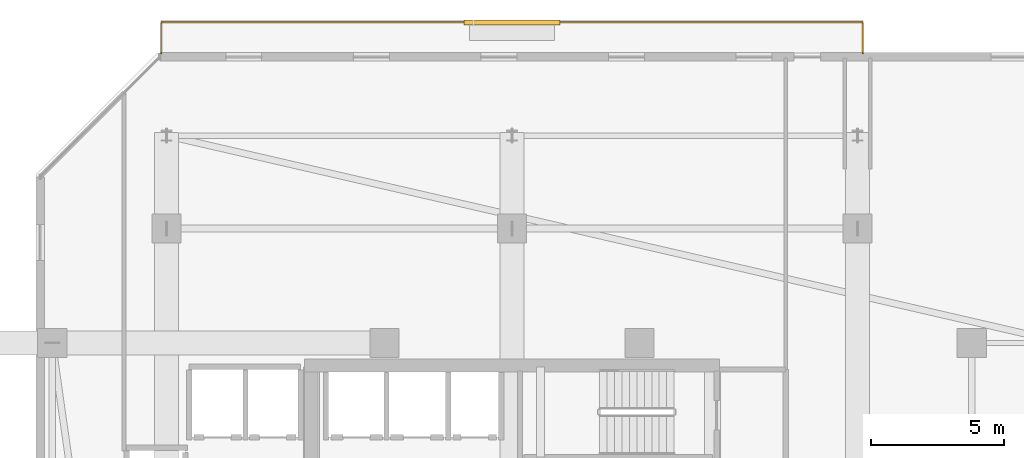
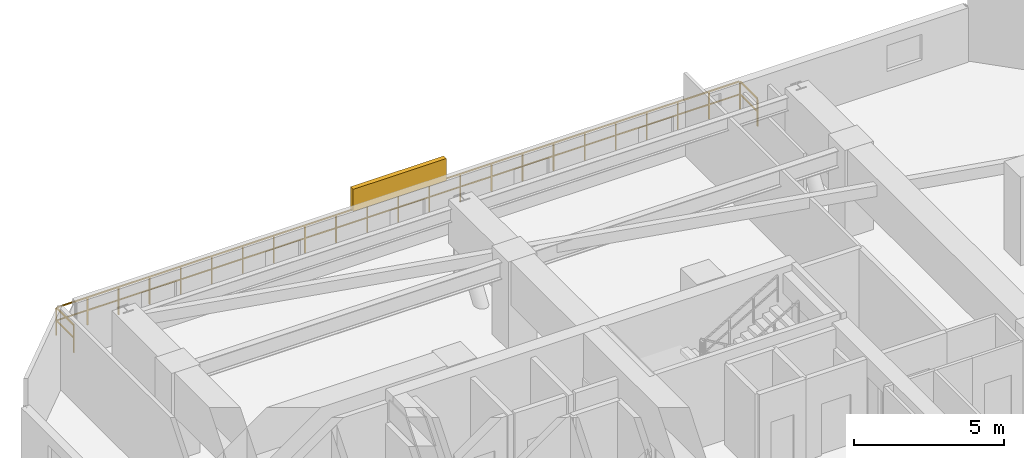
# One storey, part 34 of 36: 1 railing, 1 shading device.
"""IFC4 building model written with IfcOpenShell, lengths in metres."""

from ifc_helpers import new_model, si_unit, direction, frame, origin, origin_2d, place, context, subcontext, project, spatial, rectangle, extrude, material, type_object, element, save


model = new_model("IFC4")

# Units and contexts
model_context = context("Model", 3, precision=1e-05, world=origin(), true_north=direction((0.0, 1.0)))
body_context = subcontext(model_context, "Body", "Model", "MODEL_VIEW")
ifc_project = project(units=[si_unit("LENGTHUNIT", "METRE"), si_unit("AREAUNIT", "SQUARE_METRE"), si_unit("VOLUMEUNIT", "CUBIC_METRE"), si_unit("PLANEANGLEUNIT", "RADIAN"), si_unit("MASSUNIT", "GRAM", prefix="KILO")], contexts=[model_context])

# Site, building, storey
site_placement = place(None, origin())
site = spatial("IfcSite", under=ifc_project, at=site_placement, CompositionType="ELEMENT")
building_placement = place(site_placement, origin())
building = spatial("IfcBuilding", under=site, at=building_placement, Name="Thornwick Lancets Civic Towers", CompositionType="ELEMENT")
storey_placement = place(building_placement, frame((0.0, 0.0, 196.5)))
storey = spatial("IfcBuildingStorey", under=building, at=storey_placement, Name="L52", CompositionType="ELEMENT", Elevation=196.5)

# Railing
ifc_material_1 = material(Name="Terracotta-capped laminated glass balustrade S355", Category="masonry")
railing_type = type_object("IfcRailingType", Name="RAIL_TERR_GUARD", PredefinedType="GUARDRAIL", material=ifc_material_1)
railing_placement = place(storey_placement, frame((12.300048828125, 50.89990234375, 0.0)))
element("IfcRailing", 1, at=railing_placement, inside=storey, type_object=railing_type, Name="L52 Tower A Balcony Guard N", PredefinedType="GUARDRAIL", context=body_context, shape_type="SweptSolid", body=[
    extrude(rectangle(XDim=0.048095703125, YDim=0.048095703125, at=origin_2d()), frame((0.0, 0.0, 1.1259765625), z_axis=(0.0, 1.0, 0.0), x_axis=(-1.0, 0.0, 0.0)), (0.0, 0.0, 1.0), 1.138916015625),
    extrude(rectangle(XDim=0.0419921875, YDim=0.0419921875, at=origin_2d()), frame((0.0, 0.03759765625, 0.597900390625), z_axis=(0.0, 1.0, 0.0), x_axis=(-1.0, 0.0, 0.0)), (0.0, 0.0, 1.0), 1.09521484375),
    extrude(rectangle(XDim=0.048095703125, YDim=0.048095703125, at=origin_2d()), frame((0.03125, 1.170166015625, 1.1259765625), z_axis=(1.0, 0.0, 0.0), x_axis=(0.0, 1.0, 0.0)), (0.0, 0.0, 1.0), 26.33740234375),
    extrude(rectangle(XDim=0.0419921875, YDim=0.0419921875, at=origin_2d()), frame((0.03759765625, 1.170166015625, 0.597900390625), z_axis=(1.0, 0.0, 0.0), x_axis=(0.0, 1.0, 0.0)), (0.0, 0.0, 1.0), 1.125),
    extrude(rectangle(XDim=0.0419921875, YDim=0.0419921875, at=origin_2d()), frame((1.237548828125, 1.170166015625, 0.597900390625), z_axis=(1.0, 0.0, 0.0), x_axis=(0.0, 1.0, 0.0)), (0.0, 0.0, 1.0), 1.125),
    extrude(rectangle(XDim=0.0419921875, YDim=0.0419921875, at=origin_2d()), frame((2.4375, 1.170166015625, 0.597900390625), z_axis=(1.0, 0.0, 0.0), x_axis=(0.0, 1.0, 0.0)), (0.0, 0.0, 1.0), 1.125),
    extrude(rectangle(XDim=0.0419921875, YDim=0.0419921875, at=origin_2d()), frame((3.637451171875, 1.170166015625, 0.597900390625), z_axis=(1.0, 0.0, 0.0), x_axis=(0.0, 1.0, 0.0)), (0.0, 0.0, 1.0), 1.125),
    extrude(rectangle(XDim=0.0419921875, YDim=0.0419921875, at=origin_2d()), frame((4.83740234375, 1.170166015625, 0.597900390625), z_axis=(1.0, 0.0, 0.0), x_axis=(0.0, 1.0, 0.0)), (0.0, 0.0, 1.0), 1.125),
    extrude(rectangle(XDim=0.0419921875, YDim=0.0419921875, at=origin_2d()), frame((6.037353515625, 1.170166015625, 0.597900390625), z_axis=(1.0, 0.0, 0.0), x_axis=(0.0, 1.0, 0.0)), (0.0, 0.0, 1.0), 1.125),
    extrude(rectangle(XDim=0.0419921875, YDim=0.0419921875, at=origin_2d()), frame((7.237548828125, 1.170166015625, 0.597900390625), z_axis=(1.0, 0.0, 0.0), x_axis=(0.0, 1.0, 0.0)), (0.0, 0.0, 1.0), 1.125),
    extrude(rectangle(XDim=0.0419921875, YDim=0.0419921875, at=origin_2d()), frame((8.4375, 1.170166015625, 0.597900390625), z_axis=(1.0, 0.0, 0.0), x_axis=(0.0, 1.0, 0.0)), (0.0, 0.0, 1.0), 1.125),
    extrude(rectangle(XDim=0.0419921875, YDim=0.0419921875, at=origin_2d()), frame((9.637451171875, 1.170166015625, 0.597900390625), z_axis=(1.0, 0.0, 0.0), x_axis=(0.0, 1.0, 0.0)), (0.0, 0.0, 1.0), 1.125),
    extrude(rectangle(XDim=0.0419921875, YDim=0.0419921875, at=origin_2d()), frame((10.83740234375, 1.170166015625, 0.597900390625), z_axis=(1.0, 0.0, 0.0), x_axis=(0.0, 1.0, 0.0)), (0.0, 0.0, 1.0), 1.125),
    extrude(rectangle(XDim=0.0419921875, YDim=0.0419921875, at=origin_2d()), frame((12.037353515625, 1.170166015625, 0.597900390625), z_axis=(1.0, 0.0, 0.0), x_axis=(0.0, 1.0, 0.0)), (0.0, 0.0, 1.0), 1.125),
    extrude(rectangle(XDim=0.0419921875, YDim=0.0419921875, at=origin_2d()), frame((13.237548828125, 1.170166015625, 0.597900390625), z_axis=(1.0, 0.0, 0.0), x_axis=(0.0, 1.0, 0.0)), (0.0, 0.0, 1.0), 1.125),
    extrude(rectangle(XDim=0.0419921875, YDim=0.0419921875, at=origin_2d()), frame((14.4375, 1.170166015625, 0.597900390625), z_axis=(1.0, 0.0, 0.0), x_axis=(0.0, 1.0, 0.0)), (0.0, 0.0, 1.0), 1.125),
    extrude(rectangle(XDim=0.0419921875, YDim=0.0419921875, at=origin_2d()), frame((15.637451171875, 1.170166015625, 0.597900390625), z_axis=(1.0, 0.0, 0.0), x_axis=(0.0, 1.0, 0.0)), (0.0, 0.0, 1.0), 1.125),
    extrude(rectangle(XDim=0.0419921875, YDim=0.0419921875, at=origin_2d()), frame((16.83740234375, 1.170166015625, 0.597900390625), z_axis=(1.0, 0.0, 0.0), x_axis=(0.0, 1.0, 0.0)), (0.0, 0.0, 1.0), 1.125),
    extrude(rectangle(XDim=0.0419921875, YDim=0.0419921875, at=origin_2d()), frame((18.037353515625, 1.170166015625, 0.597900390625), z_axis=(1.0, 0.0, 0.0), x_axis=(0.0, 1.0, 0.0)), (0.0, 0.0, 1.0), 1.125),
    extrude(rectangle(XDim=0.0419921875, YDim=0.0419921875, at=origin_2d()), frame((19.2373046875, 1.170166015625, 0.597900390625), z_axis=(1.0, 0.0, 0.0), x_axis=(0.0, 1.0, 0.0)), (0.0, 0.0, 1.0), 1.125),
    extrude(rectangle(XDim=0.0419921875, YDim=0.0419921875, at=origin_2d()), frame((20.4375, 1.170166015625, 0.597900390625), z_axis=(1.0, 0.0, 0.0), x_axis=(0.0, 1.0, 0.0)), (0.0, 0.0, 1.0), 1.125),
    extrude(rectangle(XDim=0.0419921875, YDim=0.0419921875, at=origin_2d()), frame((21.637451171875, 1.170166015625, 0.597900390625), z_axis=(1.0, 0.0, 0.0), x_axis=(0.0, 1.0, 0.0)), (0.0, 0.0, 1.0), 1.125),
    extrude(rectangle(XDim=0.0419921875, YDim=0.0419921875, at=origin_2d()), frame((22.83740234375, 1.170166015625, 0.597900390625), z_axis=(1.0, 0.0, 0.0), x_axis=(0.0, 1.0, 0.0)), (0.0, 0.0, 1.0), 1.125),
    extrude(rectangle(XDim=0.0419921875, YDim=0.0419921875, at=origin_2d()), frame((24.037353515625, 1.170166015625, 0.597900390625), z_axis=(1.0, 0.0, 0.0), x_axis=(0.0, 1.0, 0.0)), (0.0, 0.0, 1.0), 1.125),
    extrude(rectangle(XDim=0.0419921875, YDim=0.0419921875, at=origin_2d()), frame((25.2373046875, 1.170166015625, 0.597900390625), z_axis=(1.0, 0.0, 0.0), x_axis=(0.0, 1.0, 0.0)), (0.0, 0.0, 1.0), 1.125),
    extrude(rectangle(XDim=0.048095703125, YDim=0.048095703125, at=origin_2d()), frame((26.39990234375, 1.138916015625, 1.1259765625), z_axis=(0.0, -1.0, 0.0), x_axis=(1.0, 0.0, 0.0)), (0.0, 0.0, 1.0), 1.138916015625),
    extrude(rectangle(XDim=0.0419921875, YDim=0.0419921875, at=origin_2d()), frame((26.39990234375, 1.132568359375, 0.597900390625), z_axis=(0.0, -1.0, 0.0), x_axis=(1.0, 0.0, 0.0)), (0.0, 0.0, 1.0), 1.09521484375),
    extrude(rectangle(XDim=0.0419921875, YDim=0.0419921875, at=origin_2d()), origin(), (0.0, 0.0, 1.0), 1.095703125),
    extrude(rectangle(XDim=0.0419921875, YDim=0.0419921875, at=origin_2d()), frame((0.0, 1.170166015625, 0.0)), (0.0, 0.0, 1.0), 1.095703125),
    extrude(rectangle(XDim=0.0419921875, YDim=0.0419921875, at=origin_2d()), frame((1.199951171875, 1.170166015625, 0.0)), (0.0, 0.0, 1.0), 1.095703125),
    extrude(rectangle(XDim=0.0419921875, YDim=0.0419921875, at=origin_2d()), frame((2.39990234375, 1.170166015625, 0.0)), (0.0, 0.0, 1.0), 1.095703125),
    extrude(rectangle(XDim=0.0419921875, YDim=0.0419921875, at=origin_2d()), frame((3.60009765625, 1.170166015625, 0.0)), (0.0, 0.0, 1.0), 1.095703125),
    extrude(rectangle(XDim=0.0419921875, YDim=0.0419921875, at=origin_2d()), frame((4.800048828125, 1.170166015625, 0.0)), (0.0, 0.0, 1.0), 1.095703125),
    extrude(rectangle(XDim=0.0419921875, YDim=0.0419921875, at=origin_2d()), frame((6.0, 1.170166015625, 0.0)), (0.0, 0.0, 1.0), 1.095703125),
    extrude(rectangle(XDim=0.0419921875, YDim=0.0419921875, at=origin_2d()), frame((7.199951171875, 1.170166015625, 0.0)), (0.0, 0.0, 1.0), 1.095703125),
    extrude(rectangle(XDim=0.0419921875, YDim=0.0419921875, at=origin_2d()), frame((8.39990234375, 1.170166015625, 0.0)), (0.0, 0.0, 1.0), 1.095703125),
    extrude(rectangle(XDim=0.0419921875, YDim=0.0419921875, at=origin_2d()), frame((9.599853515625, 1.170166015625, 0.0)), (0.0, 0.0, 1.0), 1.095703125),
    extrude(rectangle(XDim=0.0419921875, YDim=0.0419921875, at=origin_2d()), frame((10.800048828125, 1.170166015625, 0.0)), (0.0, 0.0, 1.0), 1.095703125),
    extrude(rectangle(XDim=0.0419921875, YDim=0.0419921875, at=origin_2d()), frame((12.0, 1.170166015625, 0.0)), (0.0, 0.0, 1.0), 1.095703125),
    extrude(rectangle(XDim=0.0419921875, YDim=0.0419921875, at=origin_2d()), frame((13.199951171875, 1.170166015625, 0.0)), (0.0, 0.0, 1.0), 1.095703125),
    extrude(rectangle(XDim=0.0419921875, YDim=0.0419921875, at=origin_2d()), frame((14.39990234375, 1.170166015625, 0.0)), (0.0, 0.0, 1.0), 1.095703125),
    extrude(rectangle(XDim=0.0419921875, YDim=0.0419921875, at=origin_2d()), frame((15.599853515625, 1.170166015625, 0.0)), (0.0, 0.0, 1.0), 1.095703125),
    extrude(rectangle(XDim=0.0419921875, YDim=0.0419921875, at=origin_2d()), frame((16.800048828125, 1.170166015625, 0.0)), (0.0, 0.0, 1.0), 1.095703125),
    extrude(rectangle(XDim=0.0419921875, YDim=0.0419921875, at=origin_2d()), frame((18.0, 1.170166015625, 0.0)), (0.0, 0.0, 1.0), 1.095703125),
    extrude(rectangle(XDim=0.0419921875, YDim=0.0419921875, at=origin_2d()), frame((19.199951171875, 1.170166015625, 0.0)), (0.0, 0.0, 1.0), 1.095703125),
    extrude(rectangle(XDim=0.0419921875, YDim=0.0419921875, at=origin_2d()), frame((20.39990234375, 1.170166015625, 0.0)), (0.0, 0.0, 1.0), 1.095703125),
    extrude(rectangle(XDim=0.0419921875, YDim=0.0419921875, at=origin_2d()), frame((21.599853515625, 1.170166015625, 0.0)), (0.0, 0.0, 1.0), 1.095703125),
    extrude(rectangle(XDim=0.0419921875, YDim=0.0419921875, at=origin_2d()), frame((22.7998046875, 1.170166015625, 0.0)), (0.0, 0.0, 1.0), 1.095703125),
    extrude(rectangle(XDim=0.0419921875, YDim=0.0419921875, at=origin_2d()), frame((24.0, 1.170166015625, 0.0)), (0.0, 0.0, 1.0), 1.095703125),
    extrude(rectangle(XDim=0.0419921875, YDim=0.0419921875, at=origin_2d()), frame((25.199951171875, 1.170166015625, 0.0)), (0.0, 0.0, 1.0), 1.095703125),
    extrude(rectangle(XDim=0.0419921875, YDim=0.0419921875, at=origin_2d()), frame((26.39990234375, 1.170166015625, 0.0)), (0.0, 0.0, 1.0), 1.095703125),
    extrude(rectangle(XDim=0.0419921875, YDim=0.0419921875, at=origin_2d()), frame((26.39990234375, 0.0, 0.0)), (0.0, 0.0, 1.0), 1.095703125),
])

# Shading device
ifc_material_2 = material(Name="Extruded terracotta baguette solar screen", Category="masonry")
shading_device_type = type_object("IfcShadingDeviceType", Name="SHADE_BAGUETTE", PredefinedType="JALOUSIE", material=ifc_material_2)
shading_device_placement = place(storey_placement, frame((25.5, 52.06005859375, 1.1201171875), z_axis=(0.0, 0.0, 1.0), x_axis=(1.0, 0.0, 0.0)))
element("IfcShadingDevice", 2, at=shading_device_placement, inside=storey, type_object=shading_device_type, Name="L52 Tower A Terracotta Baguette Screen N", PredefinedType="JALOUSIE", context=body_context, shape_type="SweptSolid", body=[
    extrude(rectangle(XDim=3.60009765625, YDim=0.179931640625, at=origin_2d()), origin(), (0.0, 0.0, 1.0), 0.89990234375),
])

save(model, "model.ifc")
